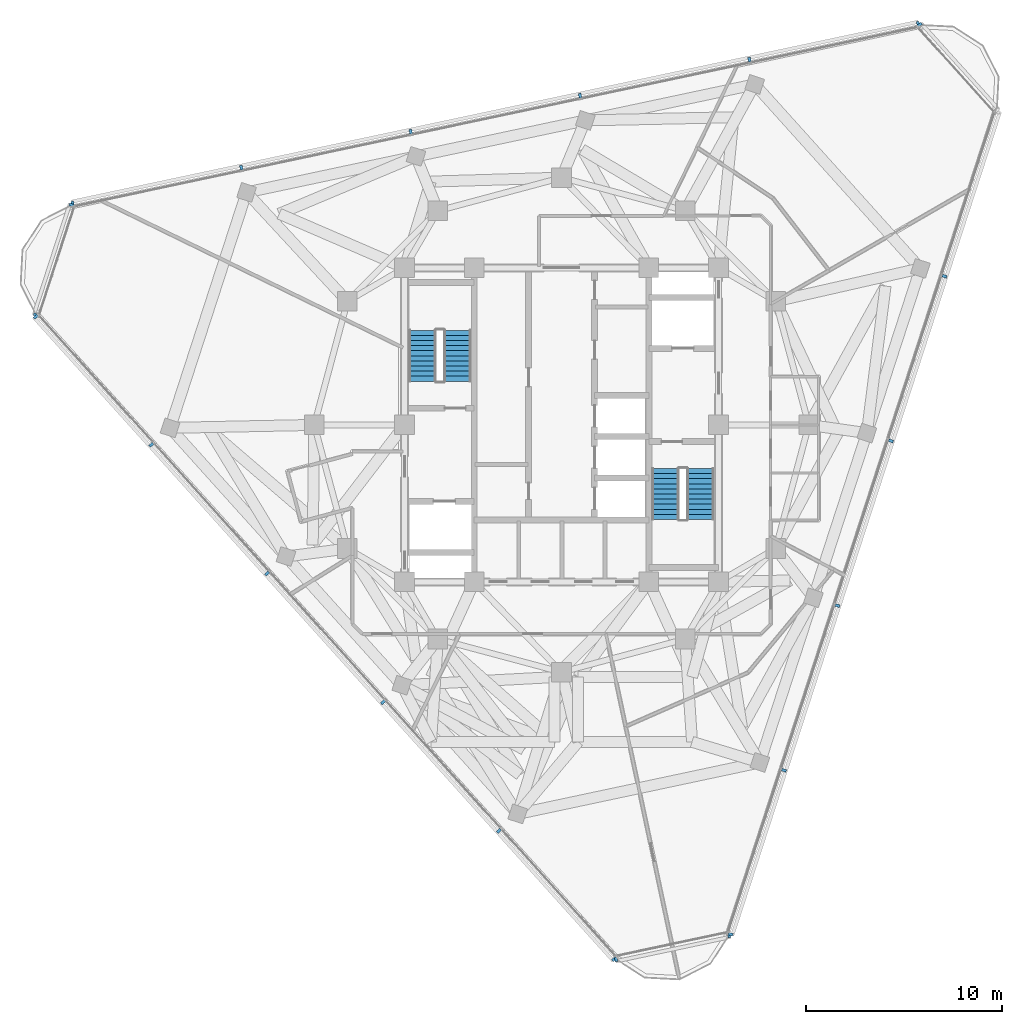
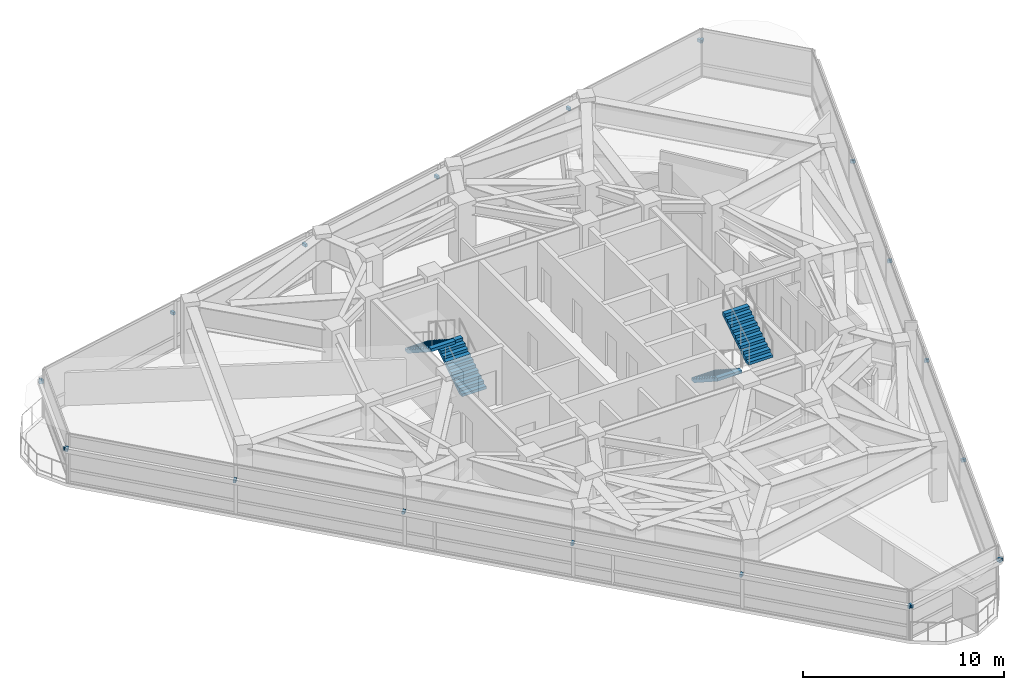
# One storey, part 10 of 15: 22 discrete accessories, 4 stair flights, 2 elements without a shape of their own.
"""IFC4 building model written with IfcOpenShell, lengths in metres."""

from ifc_helpers import new_model, si_unit, direction, frame, origin, origin_2d, place, context, subcontext, project, spatial, polyline, rectangle, outline, extrude, material, type_object, element, aggregate, save


model = new_model("IFC4")

# Units and contexts
model_context = context("Model", 3, precision=1e-05, world=origin(), true_north=direction((0.0, 1.0)))
body_context = subcontext(model_context, "Body", "Model", "MODEL_VIEW")
ifc_project = project(units=[si_unit("LENGTHUNIT", "METRE"), si_unit("AREAUNIT", "SQUARE_METRE"), si_unit("VOLUMEUNIT", "CUBIC_METRE"), si_unit("PLANEANGLEUNIT", "RADIAN"), si_unit("MASSUNIT", "GRAM", prefix="KILO")], contexts=[model_context])

# Site, building, storey
site_placement = place(None, origin())
site = spatial("IfcSite", under=ifc_project, at=site_placement, CompositionType="ELEMENT")
building_placement = place(site_placement, origin())
building = spatial("IfcBuilding", under=site, at=building_placement, Name="Terralouvre Media Tower", CompositionType="ELEMENT")
storey_placement = place(building_placement, frame((0.0, 0.0, 309.10009765625)))
storey = spatial("IfcBuildingStorey", under=building, at=storey_placement, Name="L80", CompositionType="ELEMENT", Elevation=309.10009765625)

# Stair, stair flights
ifc_material_1 = material(Name="Concrete C45/55", Category="concrete")
stair_type_1 = type_object("IfcStairType", Name="Dogleg Stair Assembly ST-01", PredefinedType="HALF_TURN_STAIR", material=ifc_material_1)
stair_1_placement = place(storey_placement, origin())
stair_1 = element("IfcStair", 1, at=stair_1_placement, inside=storey, type_object=stair_type_1, Name="L80 Core Pressurised Exit Stair ST-01", PredefinedType="HALF_TURN_STAIR")
ifc_material_2 = material(Name="Concrete C45/55", Category="concrete")
stair_flight_type = type_object("IfcStairFlightType", Name="Reinforced Concrete Stair Flight SF-RC1", PredefinedType="STRAIGHT", material=ifc_material_2)
stair_flight_1_placement = place(storey_placement, frame((-5.300048828125, 2.219970703125, 0.0), z_axis=(0.0, 0.0, 1.0), x_axis=(0.0, 1.0, 0.0)))
stair_flight_1 = element("IfcStairFlight", 2, at=stair_flight_1_placement, type_object=stair_flight_type, Name="ST-01 flight 1", NumberOfRisers=11, NumberOfTreads=10, PredefinedType="STRAIGHT", RiserHeight=0.168181818, TreadLength=0.26, context=body_context, shape_type="SweptSolid", body=[
    extrude(outline(polyline([(0.0, 0.0), (0.0, 0.168212890625), (0.260009765625, 0.168212890625), (0.260009765625, 0.33642578125), (0.52001953125, 0.33642578125), (0.52001953125, 0.504638671875), (0.780029296875, 0.504638671875), (0.780029296875, 0.672607421875), (1.0400390625, 0.672607421875), (1.0400390625, 0.8408203125), (1.300048828125, 0.8408203125), (1.300048828125, 1.009033203125), (1.56005859375, 1.009033203125), (1.56005859375, 1.17724609375), (1.820068359375, 1.17724609375), (1.820068359375, 1.345458984375), (2.080078125, 1.345458984375), (2.080078125, 1.513671875), (2.340087890625, 1.513671875), (2.340087890625, 1.681884765625), (2.60009765625, 1.681884765625), (2.60009765625, 1.85009765625), (2.60009765625, 1.503173828125), (0.27587890625, 0.0), (0.0, 0.0)])), frame((0.0, 0.699951171875, 0.0), z_axis=(0.0, -1.0, 0.0), x_axis=(1.0, 0.0, 0.0)), (0.0, 0.0, 1.0), 1.39990234375),
])
stair_flight_2_placement = place(storey_placement, frame((-7.080078125, 4.820068359375, 1.849853515625), z_axis=(0.0, 0.0, 1.0), x_axis=(0.0, -1.0, 0.0)))
stair_flight_2 = element("IfcStairFlight", 3, at=stair_flight_2_placement, type_object=stair_flight_type, Name="ST-01 flight 2", NumberOfRisers=11, NumberOfTreads=10, PredefinedType="STRAIGHT", RiserHeight=0.168181818, TreadLength=0.26, context=body_context, shape_type="SweptSolid", body=[
    extrude(outline(polyline([(0.0, 0.0), (0.0, 0.168212890625), (0.260009765625, 0.168212890625), (0.260009765625, 0.33642578125), (0.52001953125, 0.33642578125), (0.52001953125, 0.504638671875), (0.780029296875, 0.504638671875), (0.780029296875, 0.672607421875), (1.0400390625, 0.672607421875), (1.0400390625, 0.8408203125), (1.300048828125, 0.8408203125), (1.300048828125, 1.009033203125), (1.56005859375, 1.009033203125), (1.56005859375, 1.17724609375), (1.820068359375, 1.17724609375), (1.820068359375, 1.345458984375), (2.080078125, 1.345458984375), (2.080078125, 1.513671875), (2.340087890625, 1.513671875), (2.340087890625, 1.681884765625), (2.60009765625, 1.681884765625), (2.60009765625, 1.85009765625), (2.60009765625, 1.503173828125), (0.27587890625, 0.0), (0.0, 0.0)])), frame((0.0, 0.699951171875, 0.0), z_axis=(0.0, -1.0, 0.0), x_axis=(1.0, 0.0, 0.0)), (0.0, 0.0, 1.0), 1.39990234375),
])
aggregate(stair_1, [stair_flight_1, stair_flight_2])

ifc_material_3 = material(Name="Concrete C45/55", Category="concrete")
stair_type_2 = type_object("IfcStairType", Name="Dogleg Stair Assembly ST-02", PredefinedType="HALF_TURN_STAIR", material=ifc_material_3)
stair_2_placement = place(storey_placement, origin())
stair_2 = element("IfcStair", 4, at=stair_2_placement, inside=storey, type_object=stair_type_2, Name="L80 Core Pressurised Exit Stair ST-02", PredefinedType="HALF_TURN_STAIR")
stair_flight_3_placement = place(storey_placement, frame((5.300048828125, -2.219970703125, 0.0), z_axis=(0.0, 0.0, 1.0), x_axis=(0.0, -1.0, 0.0)))
stair_flight_3 = element("IfcStairFlight", 5, at=stair_flight_3_placement, type_object=stair_flight_type, Name="ST-02 flight 1", NumberOfRisers=11, NumberOfTreads=10, PredefinedType="STRAIGHT", RiserHeight=0.168181818, TreadLength=0.26, context=body_context, shape_type="SweptSolid", body=[
    extrude(outline(polyline([(0.0, 0.0), (0.0, 0.168212890625), (0.260009765625, 0.168212890625), (0.260009765625, 0.33642578125), (0.52001953125, 0.33642578125), (0.52001953125, 0.504638671875), (0.780029296875, 0.504638671875), (0.780029296875, 0.672607421875), (1.0400390625, 0.672607421875), (1.0400390625, 0.8408203125), (1.300048828125, 0.8408203125), (1.300048828125, 1.009033203125), (1.56005859375, 1.009033203125), (1.56005859375, 1.17724609375), (1.820068359375, 1.17724609375), (1.820068359375, 1.345458984375), (2.080078125, 1.345458984375), (2.080078125, 1.513671875), (2.340087890625, 1.513671875), (2.340087890625, 1.681884765625), (2.60009765625, 1.681884765625), (2.60009765625, 1.85009765625), (2.60009765625, 1.503173828125), (0.27587890625, 0.0), (0.0, 0.0)])), frame((0.0, 0.699951171875, 0.0), z_axis=(0.0, -1.0, 0.0), x_axis=(1.0, 0.0, 0.0)), (0.0, 0.0, 1.0), 1.39990234375),
])
stair_flight_4_placement = place(storey_placement, frame((7.080078125, -4.820068359375, 1.849853515625), z_axis=(0.0, 0.0, 1.0), x_axis=(0.0, 1.0, 0.0)))
stair_flight_4 = element("IfcStairFlight", 6, at=stair_flight_4_placement, type_object=stair_flight_type, Name="ST-02 flight 2", NumberOfRisers=11, NumberOfTreads=10, PredefinedType="STRAIGHT", RiserHeight=0.168181818, TreadLength=0.26, context=body_context, shape_type="SweptSolid", body=[
    extrude(outline(polyline([(0.0, 0.0), (0.0, 0.168212890625), (0.260009765625, 0.168212890625), (0.260009765625, 0.33642578125), (0.52001953125, 0.33642578125), (0.52001953125, 0.504638671875), (0.780029296875, 0.504638671875), (0.780029296875, 0.672607421875), (1.0400390625, 0.672607421875), (1.0400390625, 0.8408203125), (1.300048828125, 0.8408203125), (1.300048828125, 1.009033203125), (1.56005859375, 1.009033203125), (1.56005859375, 1.17724609375), (1.820068359375, 1.17724609375), (1.820068359375, 1.345458984375), (2.080078125, 1.345458984375), (2.080078125, 1.513671875), (2.340087890625, 1.513671875), (2.340087890625, 1.681884765625), (2.60009765625, 1.681884765625), (2.60009765625, 1.85009765625), (2.60009765625, 1.503173828125), (0.27587890625, 0.0), (0.0, 0.0)])), frame((0.0, 0.699951171875, 0.0), z_axis=(0.0, -1.0, 0.0), x_axis=(1.0, 0.0, 0.0)), (0.0, 0.0, 1.0), 1.39990234375),
])
aggregate(stair_2, [stair_flight_3, stair_flight_4])

# Discrete accessories
ifc_material_4 = material(Name="Anodised extruded aluminium 6063-T6", Category="aluminium")
discrete_accessory_type = type_object("IfcDiscreteAccessoryType", Name="Mullion Stand-Off Baguette Fixing Bracket BK-01", PredefinedType="BRACKET", material=ifc_material_4)
for number, where, z_axis, x_axis, name in (
    (7, (8.617431640625, -25.955810546875, 2.03662109375), (0.0, 0.0, 1.0), (0.309017021946, 0.951056507337, 0.0), "CW-L80-F0 Baguette Outrigger Bracket 1.01"),
    (8, (11.33251953125, -17.599365234375, 2.03662109375), (0.0, 0.0, 1.0), (0.309017021946, 0.951056507337, 0.0), "CW-L80-F0 Baguette Outrigger Bracket 1.02"),
    (9, (14.059326171875, -9.207275390625, 2.03662109375), (0.0, 0.0, 1.0), (0.309017021946, 0.951056507337, 0.0), "CW-L80-F0 Baguette Outrigger Bracket 1.03"),
    (10, (16.7861328125, -0.815185546875, 2.03662109375), (0.0, 0.0, 1.0), (0.309017021946, 0.951056507337, 0.0), "CW-L80-F0 Baguette Outrigger Bracket 1.04"),
    (11, (19.5126953125, 7.5771484375, 2.03662109375), (0.0, 0.0, 1.0), (0.309017021946, 0.951056507337, 0.0), "CW-L80-F0 Baguette Outrigger Bracket 1.05"),
    (12, (18.169677734375, 20.440673828125, 2.03662109375), (0.0, 0.0, 1.0), (-0.978147616145, -0.207911618313, 0.0), "CW-L80-F1 Baguette Outrigger Bracket 1.01"),
    (13, (9.5751953125, 18.614013671875, 2.03662109375), (0.0, 0.0, 1.0), (-0.978147616145, -0.207911618313, 0.0), "CW-L80-F1 Baguette Outrigger Bracket 1.02"),
    (14, (0.944091796875, 16.779296875, 2.03662109375), (0.0, 0.0, 1.0), (-0.978147616145, -0.207911618313, 0.0), "CW-L80-F1 Baguette Outrigger Bracket 1.03"),
    (15, (-7.687255859375, 14.944580078125, 2.03662109375), (0.0, 0.0, 1.0), (-0.978147616145, -0.207911618313, 0.0), "CW-L80-F1 Baguette Outrigger Bracket 1.04"),
    (16, (-16.318359375, 13.110107421875, 2.03662109375), (0.0, 0.0, 1.0), (-0.978147616145, -0.207911618313, 0.0), "CW-L80-F1 Baguette Outrigger Bracket 1.05"),
    (17, (-24.912841796875, 11.283203125, 2.03662109375), (0.0, 0.0, 1.0), (-0.978147616145, -0.207911618313, 0.0), "CW-L80-F1 Baguette Outrigger Bracket 1.06"),
    (18, (-26.787109375, 5.51513671875, 2.03662109375), (0.0, 0.0, 1.0), (0.669130573531, -0.743144855036, 0.0), "CW-L80-F2 Baguette Outrigger Bracket 1.01"),
    (19, (-20.90771484375, -1.0146484375, 2.03662109375), (0.0, 0.0, 1.0), (0.669130573531, -0.743144855036, 0.0), "CW-L80-F2 Baguette Outrigger Bracket 1.02"),
    (20, (-15.00341796875, -7.572021484375, 2.03662109375), (0.0, 0.0, 1.0), (0.669130573531, -0.743144855036, 0.0), "CW-L80-F2 Baguette Outrigger Bracket 1.03"),
    (21, (-9.098876953125, -14.129638671875, 2.03662109375), (0.0, 0.0, 1.0), (0.669130573531, -0.743144855036, 0.0), "CW-L80-F2 Baguette Outrigger Bracket 1.04"),
    (22, (-3.194580078125, -20.68701171875, 2.03662109375), (0.0, 0.0, 1.0), (0.669130573531, -0.743144855036, 0.0), "CW-L80-F2 Baguette Outrigger Bracket 1.05"),
    (23, (2.684814453125, -27.216796875, 2.03662109375), (0.0, 0.0, 1.0), (0.669130573531, -0.743144855036, 0.0), "CW-L80-F2 Baguette Outrigger Bracket 1.06"),
    (24, (2.780517578125, -27.229736328125, 2.03662109375), (0.0, 0.0, 1.0), (0.978147609922, 0.207911647592, 0.0), "CW-L80-C0 Baguette Outrigger Bracket 1.01"),
    (25, (8.53515625, -26.00634765625, 2.03662109375), (0.0, 0.0, 1.0), (0.978147609922, 0.207911647592, 0.0), "CW-L80-C0 Baguette Outrigger Bracket 1.02"),
    (26, (18.254638671875, 20.39501953125, 2.03662109375), (0.0, 0.0, 1.0), (-0.669130231192, 0.743145163279, 0.0), "CW-L80-C1 Baguette Outrigger Bracket 1.02"),
    (27, (-24.9716796875, 11.206787109375, 2.03662109375), (0.0, 0.0, 1.0), (-0.30901654693, -0.951056661679, 0.0), "CW-L80-C2 Baguette Outrigger Bracket 1.01"),
    (28, (-26.789794921875, 5.611572265625, 2.03662109375), (0.0, 0.0, 1.0), (-0.30901654693, -0.951056661679, 0.0), "CW-L80-C2 Baguette Outrigger Bracket 1.02"),
):
    element("IfcDiscreteAccessory", number, at=place(storey_placement, frame(where, z_axis=z_axis, x_axis=x_axis)), inside=storey, type_object=discrete_accessory_type, Name=name, PredefinedType="BRACKET", context=body_context, shape_type="SweptSolid", body=[
        extrude(rectangle(XDim=0.139892578125, YDim=0.239990234375, at=origin_2d()), origin(), (0.0, 0.0, 1.0), 0.179931640625),
    ])

save(model, "model.ifc")
